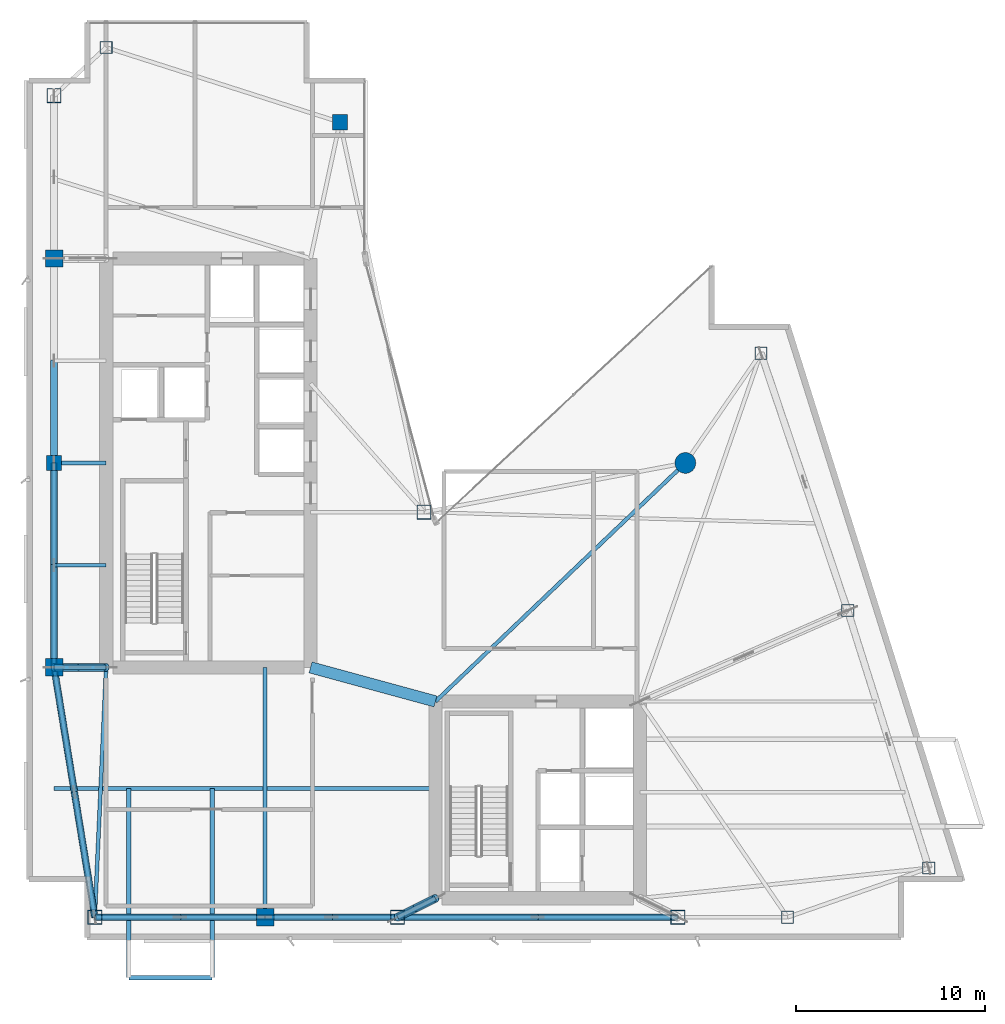
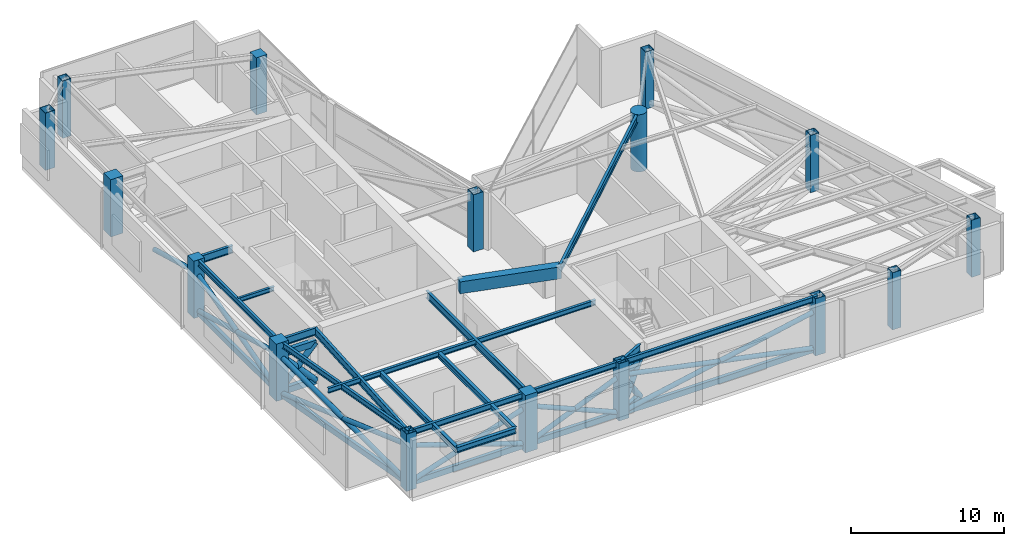
# One storey, part 1 of 16: 31 members, 17 beams, 16 columns.
"""IFC4 building model written with IfcOpenShell, lengths in metres."""

import ifcopenshell
import ifcopenshell.guid

model = None  # the IFC model being written
_history = None  # IfcOwnerHistory: only IFC2X3 demands one
_inside = {}  # id of a spatial element -> (the spatial element, [elements in it])
_under = {}  # id of a project, library or spatial element -> (it, [spatial elements below it])
_declared = {}  # id of a project -> (the project, [libraries it declares])
_typed = {}  # id of a type object -> (the type object, [elements of that type])
_made_of = {}  # id of a material, layer set ... -> (it, [elements and type objects made of it])


def new_model(schema):
    """Start an empty IFC model of exactly this schema.

    Asked for "IFC4X3", IfcOpenShell would pick the latest addendum, in which some entities
    have other attributes; the version numbers below select the first issue.
    IFC2X3 requires an IfcOwnerHistory on every rooted entity: one is made here for all.
    """
    global model, _history
    if schema == "IFC4X3":
        model = ifcopenshell.file(schema_version=(4, 3, 0, 0))
    else:
        model = ifcopenshell.file(schema=schema)
    _inside.clear()
    _under.clear()
    _declared.clear()
    _typed.clear()
    _made_of.clear()
    _history = None
    if model.schema == "IFC2X3":
        org = make("IfcOrganization", Name="unknown")
        user = make(
            "IfcPersonAndOrganization",
            ThePerson=make("IfcPerson", FamilyName="unknown"),
            TheOrganization=org,
        )
        app = make(
            "IfcApplication",
            ApplicationDeveloper=org,
            Version="unknown",
            ApplicationFullName="unknown",
            ApplicationIdentifier="unknown",
        )
        _history = make(
            "IfcOwnerHistory",
            OwningUser=user,
            OwningApplication=app,
            ChangeAction="ADDED",
            CreationDate=0,
        )
    return model


def make(cls, **values):
    """One entity of the class cls with the attributes given. An attribute that is None is left unset."""
    return model.create_entity(
        cls, **{name: value for name, value in values.items() if value is not None}
    )


def rooted(cls, **values):
    """An entity with a GlobalId (a new one), such as an element, a storey or a relation."""
    return make(cls, GlobalId=ifcopenshell.guid.new(), OwnerHistory=_history, **values)


def si_unit(unit_type, name, prefix=None):
    """IfcSIUnit, for example si_unit("LENGTHUNIT", "METRE", prefix="MILLI")."""
    return make("IfcSIUnit", UnitType=unit_type, Prefix=prefix, Name=name)


def assignment(units):
    """IfcUnitAssignment: the units of a project."""
    return None if units is None else make("IfcUnitAssignment", Units=units)


def point(xyz):
    """IfcCartesianPoint."""
    return None if xyz is None else make("IfcCartesianPoint", Coordinates=xyz)


def direction(xyz):
    """IfcDirection."""
    return None if xyz is None else make("IfcDirection", DirectionRatios=xyz)


def frame(location, z_axis=None, x_axis=None):
    """IfcAxis2Placement3D, a coordinate frame: its origin and axes. An axis left out is left unset."""
    return make(
        "IfcAxis2Placement3D",
        Location=point(location),
        Axis=direction(z_axis),
        RefDirection=direction(x_axis),
    )


def frame_2d(location, x_axis=None):
    """IfcAxis2Placement2D, a coordinate frame in the plane: its origin and x axis."""
    return make(
        "IfcAxis2Placement2D", Location=point(location), RefDirection=direction(x_axis)
    )


def origin():
    """The frame at (0, 0, 0) with its axes left unset."""
    return frame((0.0, 0.0, 0.0))


def origin_2d():
    """The frame at (0, 0) in the plane with its x axis left unset."""
    return frame_2d((0.0, 0.0))


def place(relative_to, where):
    """IfcLocalPlacement: puts the frame where relative to a parent placement (None: the world)."""
    return make(
        "IfcLocalPlacement", PlacementRelTo=relative_to, RelativePlacement=where
    )


def context(
    kind, dimensions, precision=None, world=None, true_north=None, identifier=None
):
    """IfcGeometricRepresentationContext, for example the 3D "Model" context."""
    return make(
        "IfcGeometricRepresentationContext",
        ContextIdentifier=identifier,
        ContextType=kind,
        CoordinateSpaceDimension=dimensions,
        Precision=precision,
        WorldCoordinateSystem=world,
        TrueNorth=true_north,
    )


def subcontext(parent, identifier, kind, view, scale=None):
    """IfcGeometricRepresentationSubContext, for example "Body" below "Model"."""
    return make(
        "IfcGeometricRepresentationSubContext",
        ContextIdentifier=identifier,
        ContextType=kind,
        ParentContext=parent,
        TargetScale=scale,
        TargetView=view,
    )


def project(units=None, contexts=None):
    """IfcProject with its units and contexts."""
    return rooted(
        "IfcProject",
        Name="project",
        RepresentationContexts=contexts,
        UnitsInContext=assignment(units),
    )


def spatial(cls, under=None, at=None, **own):
    """A site, building, storey or space (cls), placed at a placement, below another one or the project."""
    s = rooted(cls, ObjectPlacement=at, **own)
    if under is not None:
        _under.setdefault(under.id(), (under, []))[1].append(s)
    return s


def profile(cls, at=None, kind="AREA", **sizes):
    """A parametric profile (cls). Its sizes go by their IFC names, for example OverallWidth=200.0."""
    return make(cls, ProfileType=kind, Position=at, **sizes)


def rectangle(**sizes):
    """IfcRectangleProfileDef."""
    return profile("IfcRectangleProfileDef", **sizes)


def hollow_rectangle(**sizes):
    """IfcRectangleHollowProfileDef."""
    return profile("IfcRectangleHollowProfileDef", **sizes)


def circle(**sizes):
    """IfcCircleProfileDef."""
    return profile("IfcCircleProfileDef", **sizes)


def hollow_circle(**sizes):
    """IfcCircleHollowProfileDef."""
    return profile("IfcCircleHollowProfileDef", **sizes)


def i_section(**sizes):
    """IfcIShapeProfileDef."""
    return profile("IfcIShapeProfileDef", **sizes)


def extrude(swept, where, along, depth):
    """IfcExtrudedAreaSolid: the profile swept, set in the frame where, extruded along a direction by depth."""
    return make(
        "IfcExtrudedAreaSolid",
        SweptArea=swept,
        Position=where,
        ExtrudedDirection=direction(along),
        Depth=depth,
    )


def shape(context_of_items, identifier, shape_type, items):
    """IfcShapeRepresentation: the items that make up one representation, for example the "Body"."""
    return make(
        "IfcShapeRepresentation",
        ContextOfItems=context_of_items,
        RepresentationIdentifier=identifier,
        RepresentationType=shape_type,
        Items=items,
    )


def material(Name=None, Category=None):
    """IfcMaterial."""
    return make("IfcMaterial", Name=Name, Category=Category)


def material_profile(
    of_material, cross_section, Name=None, Category=None, Priority=None
):
    """IfcMaterialProfile: a cross section and its material."""
    return make(
        "IfcMaterialProfile",
        Name=Name,
        Material=of_material,
        Profile=cross_section,
        Priority=Priority,
        Category=Category,
    )


def profile_set(profiles, Name=None, composite=None):
    """IfcMaterialProfileSet."""
    return make(
        "IfcMaterialProfileSet",
        Name=Name,
        MaterialProfiles=profiles,
        CompositeProfile=composite,
    )


def made_of(thing, what):
    """Note that an element or type object is made of a material, layer set ...; save() writes the relation."""
    if what is not None:
        _made_of.setdefault(what.id(), (what, []))[1].append(thing)
    return thing


def type_object(cls, material=None, **own):
    """A type object (cls), such as IfcWallType, which elements share."""
    return made_of(rooted(cls, **own), material)


def element(
    cls,
    number,
    at=None,
    inside=None,
    cuts=None,
    type_object=None,
    material=None,
    context=None,
    identifier="Body",
    shape_type=None,
    held_by="IfcProductDefinitionShape",
    body=None,
    shapes=None,
    **own,
):
    """One element of the class cls, such as IfcWall. Its Tag is "e" and its number.

    at: its placement. inside: the storey or other place that contains it. cuts: it is an
    opening in that element (IfcRelVoidsElement). A single representation is given by context,
    identifier, shape_type and body (its items); several are given by shapes. held_by: the class
    of the entity that holds the representations. save() writes the other relations.
    """
    e = rooted(cls, Tag="e%d" % number, ObjectPlacement=at, **own)
    if body is not None:
        shapes = [shape(context, identifier, shape_type, body)]
    if shapes is not None:
        e.Representation = make(held_by, Representations=shapes)
    if inside is not None:
        _inside.setdefault(inside.id(), (inside, []))[1].append(e)
    if cuts is not None:
        rooted(
            "IfcRelVoidsElement", RelatingBuildingElement=cuts, RelatedOpeningElement=e
        )
    if type_object is not None:
        _typed.setdefault(type_object.id(), (type_object, []))[1].append(e)
    return made_of(e, material)


def aggregate(whole, parts):
    """IfcRelAggregates: a whole, such as a stair, and the parts it consists of."""
    return rooted("IfcRelAggregates", RelatingObject=whole, RelatedObjects=parts)


def save(model, path):
    """Write the relations noted so far, then the file.

    IfcRelAggregates (storeys below a building ...), IfcRelContainedInSpatialStructure (elements
    in a storey), IfcRelDefinesByType, IfcRelAssociatesMaterial and IfcRelDeclares: one each for
    every whole, place, type object, material and project.
    """
    for whole, parts in _under.values():
        aggregate(whole, parts)
    for where, things in _inside.values():
        rooted(
            "IfcRelContainedInSpatialStructure",
            RelatedElements=things,
            RelatingStructure=where,
        )
    for kind, things in _typed.values():
        rooted("IfcRelDefinesByType", RelatedObjects=things, RelatingType=kind)
    for what, things in _made_of.values():
        rooted("IfcRelAssociatesMaterial", RelatedObjects=things, RelatingMaterial=what)
    for by, libraries in _declared.values():
        rooted("IfcRelDeclares", RelatingContext=by, RelatedDefinitions=libraries)
    model.write(path)


model = new_model("IFC4")

# Units and contexts
model_context = context("Model", 3, precision=1e-05, world=origin(), true_north=direction((0.0, 1.0)))
body_context = subcontext(model_context, "Body", "Model", "MODEL_VIEW")
ifc_project = project(units=[si_unit("LENGTHUNIT", "METRE"), si_unit("AREAUNIT", "SQUARE_METRE"), si_unit("VOLUMEUNIT", "CUBIC_METRE"), si_unit("PLANEANGLEUNIT", "RADIAN"), si_unit("MASSUNIT", "GRAM", prefix="KILO")], contexts=[model_context])

# Site, building, storey
site_placement = place(None, origin())
site = spatial("IfcSite", under=ifc_project, at=site_placement, CompositionType="ELEMENT")
building_placement = place(site_placement, origin())
building = spatial("IfcBuilding", under=site, at=building_placement, Name="Calvorn Quay Hotel", CompositionType="ELEMENT")
storey_placement = place(building_placement, frame((0.0, 0.0, 234.5)))
storey = spatial("IfcBuildingStorey", under=building, at=storey_placement, Name="L58", CompositionType="ELEMENT", Elevation=234.5)

# Columns
ifc_material_1 = material(Name="Concrete C45", Category="concrete")
ifc_material_profile_1 = material_profile(ifc_material_1, rectangle(XDim=0.800048828125, YDim=0.800048828125, at=origin_2d()), Name="RC800x800")
ifc_profile_set_1 = profile_set([ifc_material_profile_1], Name="Concrete C45")
column_type_1 = type_object("IfcColumnType", Name="COL-RC-800", PredefinedType="COLUMN", material=ifc_profile_set_1)
for number, where, z_axis, x_axis, name in (
    (1, (1.449951171875, 27.60009765625, 0.0), (0.0, 0.0, 1.0), (1.0, 0.0, 0.0), "Column C-W3 (L58)"),
    (2, (16.550048828125, 45.60009765625, 0.0), (0.0, 0.0, 1.0), (1.0, 0.0, 0.0), "Column C-IC1 (L58)"),
):
    element("IfcColumn", number, at=place(storey_placement, frame(where, z_axis=z_axis, x_axis=x_axis)), inside=storey, type_object=column_type_1, Name=name, PredefinedType="COLUMN", context=body_context, shape_type="SweptSolid", body=[
        extrude(rectangle(XDim=0.800048828125, YDim=0.800048828125, at=origin_2d()), origin(), (0.0, 0.0, 1.0), 4.56005859375),
    ])
ifc_material_2 = material(Name="Concrete C45", Category="concrete")
ifc_material_profile_2 = material_profile(ifc_material_2, rectangle(XDim=0.919921875, YDim=0.919921875, at=origin_2d()), Name="RC920x920")
ifc_profile_set_2 = profile_set([ifc_material_profile_2], Name="Concrete C45")
column_type_2 = type_object("IfcColumnType", Name="COL-RC-920", PredefinedType="COLUMN", material=ifc_profile_set_2)
for number, where, z_axis, x_axis, name in (
    (3, (1.449951171875, 16.800048828125, 0.0), (0.0, 0.0, 1.0), (1.0, 0.0, 0.0), "Column C-W2 (L58)"),
    (4, (1.449951171875, 38.39990234375, 0.0), (0.0, 0.0, 1.0), (1.0, 0.0, 0.0), "Column C-W4 (L58)"),
    (5, (12.60009765625, 3.60009765625, 0.0), (0.0, 0.0, 1.0), (1.0, 0.0, 0.0), "Column C-S1 (L58)"),
):
    element("IfcColumn", number, at=place(storey_placement, frame(where, z_axis=z_axis, x_axis=x_axis)), inside=storey, type_object=column_type_2, Name=name, PredefinedType="COLUMN", context=body_context, shape_type="SweptSolid", body=[
        extrude(rectangle(XDim=0.919921875, YDim=0.919921875, at=origin_2d()), origin(), (0.0, 0.0, 1.0), 4.56005859375),
    ])
ifc_material_3 = material(Name="Concrete C50", Category="concrete")
ifc_material_profile_3 = material_profile(ifc_material_3, circle(Radius=0.550048828125, at=origin_2d()), Name="RCD1100")
ifc_profile_set_3 = profile_set([ifc_material_profile_3], Name="Concrete C50")
column_type_3 = type_object("IfcColumnType", Name="COL-RC-D1100", PredefinedType="COLUMN", material=ifc_profile_set_3)
column_placement = place(storey_placement, frame((34.800048828125, 27.60009765625, 0.0), z_axis=(0.0, 0.0, 1.0), x_axis=(1.0, 0.0, 0.0)))
element("IfcColumn", 6, at=column_placement, inside=storey, type_object=column_type_3, Name="Column C-NC1 (L58)", PredefinedType="COLUMN", context=body_context, shape_type="SweptSolid", body=[
    extrude(circle(Radius=0.550048828125, at=origin_2d()), origin(), (0.0, 0.0, 1.0), 4.56005859375),
])
ifc_material_4 = material(Name="Steel Q390GJC", Category="steel")
ifc_material_profile_4 = material_profile(ifc_material_4, hollow_rectangle(XDim=0.75, YDim=0.75, WallThickness=0.031982421875, at=origin_2d()), Name="BOX750x750x32")
ifc_profile_set_4 = profile_set([ifc_material_profile_4], Name="Steel Q390GJC")
column_type_4 = type_object("IfcColumnType", Name="COL-STL-Z3", PredefinedType="COLUMN", material=ifc_profile_set_4)
for number, where, z_axis, x_axis, name in (
    (7, (3.60009765625, 3.60009765625, 0.0), (0.0, 0.0, 1.0), (1.0, 0.0, 0.0), "Column C-W1 (L58)"),
    (8, (1.449951171875, 47.0, 0.0), (0.0, 0.0, 1.0), (1.0, 0.0, 0.0), "Column C-W5 (L58)"),
    (9, (21.0, 25.0, 0.0), (0.0, 0.0, 1.0), (1.0, 0.0, 0.0), "Column C-IC2 (L58)"),
    (10, (19.60009765625, 3.60009765625, 0.0), (0.0, 0.0, 1.0), (1.0, 0.0, 0.0), "Column C-S2 (L58)"),
    (11, (34.39990234375, 3.60009765625, 0.0), (0.0, 0.0, 1.0), (1.0, 0.0, 0.0), "Column C-S3 (L58)"),
):
    element("IfcColumn", number, at=place(storey_placement, frame(where, z_axis=z_axis, x_axis=x_axis)), inside=storey, type_object=column_type_4, Name=name, PredefinedType="COLUMN", context=body_context, shape_type="SweptSolid", body=[
        extrude(hollow_rectangle(XDim=0.75, YDim=0.75, WallThickness=0.031982421875, at=origin_2d()), origin(), (0.0, 0.0, 1.0), 4.56005859375),
    ])
ifc_material_5 = material(Name="Steel Q355B", Category="steel")
ifc_material_profile_5 = material_profile(ifc_material_5, hollow_rectangle(XDim=0.64990234375, YDim=0.64990234375, WallThickness=0.028076171875, at=origin_2d()), Name="BOX650x650x28")
ifc_profile_set_5 = profile_set([ifc_material_profile_5], Name="Steel Q355B")
column_type_5 = type_object("IfcColumnType", Name="COL-STL-Z4", PredefinedType="COLUMN", material=ifc_profile_set_5)
for number, where, z_axis, x_axis, name in (
    (12, (4.199951171875, 49.550048828125, 0.0), (0.0, 0.0, 1.0), (1.0, 0.0, 0.0), "Column C-NW1 (L58)"),
    (13, (40.199951171875, 3.60009765625, 0.0), (0.0, 0.0, 1.0), (1.0, 0.0, 0.0), "Column C-S4 (L58)"),
    (14, (47.660888671875, 6.199951171875, 0.0), (0.0, 0.0, 1.0), (1.0, 0.0, 0.0), "Column C-ET1 (L58)"),
    (15, (43.3759765625, 19.800048828125, 0.0), (0.0, 0.0, 1.0), (1.0, 0.0, 0.0), "Column C-ET2 (L58)"),
    (16, (38.791015625, 33.39990234375, 0.0), (0.0, 0.0, 1.0), (1.0, 0.0, 0.0), "Column C-ET3 (L58)"),
):
    element("IfcColumn", number, at=place(storey_placement, frame(where, z_axis=z_axis, x_axis=x_axis)), inside=storey, type_object=column_type_5, Name=name, PredefinedType="COLUMN", context=body_context, shape_type="SweptSolid", body=[
        extrude(hollow_rectangle(XDim=0.64990234375, YDim=0.64990234375, WallThickness=0.028076171875, at=origin_2d()), origin(), (0.0, 0.0, 1.0), 4.56005859375),
    ])

# Beams
ifc_material_6 = material(Name="Steel Q355B", Category="steel")
ifc_material_profile_6 = material_profile(ifc_material_6, i_section(OverallWidth=0.25, OverallDepth=0.449951171875, WebThickness=0.011962890625, FlangeThickness=0.01611328125, FilletRadius=0.01611328125, at=origin_2d()), Name="HN450x250x12x16")
ifc_profile_set_6 = profile_set([ifc_material_profile_6], Name="Steel Q355B")
beam_type_1 = type_object("IfcBeamType", Name="BM-CANT-BALC", PredefinedType="BEAM", material=ifc_profile_set_6)
for number, where, z_axis, x_axis, name in (
    (17, (5.39990234375, 10.39990234375, 4.31494140625), (0.0, -1.0, 0.0), (1.0, 0.0, 0.0), "Cantilever Balcony Beam BCB-L59-2A"),
    (18, (9.800048828125, 10.39990234375, 4.31494140625), (0.0, -1.0, 0.0), (1.0, 0.0, 0.0), "Cantilever Balcony Beam BCB-L59-2B"),
):
    element("IfcBeam", number, at=place(storey_placement, frame(where, z_axis=z_axis, x_axis=x_axis)), inside=storey, type_object=beam_type_1, Name=name, PredefinedType="BEAM", context=body_context, shape_type="SweptSolid", body=[
        extrude(i_section(OverallWidth=0.25, OverallDepth=0.449951171875, WebThickness=0.011962890625, FlangeThickness=0.01611328125, FilletRadius=0.01611328125, at=origin_2d()), origin(), (0.0, 0.0, 1.0), 9.989990234375),
    ])
beam_1_placement = place(storey_placement, frame((5.39990234375, 0.409912109375, 4.31494140625), z_axis=(1.0, 0.0, 0.0), x_axis=(0.0, 1.0, 0.0)))
element("IfcBeam", 19, at=beam_1_placement, inside=storey, type_object=beam_type_1, Name="Beam BCBO-L59-2", PredefinedType="BEAM", context=body_context, shape_type="SweptSolid", body=[
    extrude(i_section(OverallWidth=0.25, OverallDepth=0.449951171875, WebThickness=0.011962890625, FlangeThickness=0.01611328125, FilletRadius=0.01611328125, at=origin_2d()), origin(), (0.0, 0.0, 1.0), 4.400146484375),
])
ifc_material_7 = material(Name="Steel Q355B", Category="steel")
ifc_material_profile_7 = material_profile(ifc_material_7, i_section(OverallWidth=0.199951171875, OverallDepth=0.60009765625, WebThickness=0.010986328125, FlangeThickness=0.01708984375, FilletRadius=0.01806640625, at=origin_2d()), Name="HN600x200x11x17")
ifc_profile_set_7 = profile_set([ifc_material_profile_7], Name="Steel Q355B")
beam_type_2 = type_object("IfcBeamType", Name="BM-GIRD-TYP", PredefinedType="BEAM", material=ifc_profile_set_7)
beam_2_placement = place(storey_placement, frame((3.60009765625, 3.60009765625, 4.239990234375), z_axis=(0.045396765494, 0.998969035397, 0.0), x_axis=(-0.998969035397, 0.045396765494, 0.0)))
element("IfcBeam", 20, at=beam_2_placement, inside=storey, type_object=beam_type_2, Name="Beam BG-L58-W0", PredefinedType="BEAM", context=body_context, shape_type="SweptSolid", body=[
    extrude(i_section(OverallWidth=0.199951171875, OverallDepth=0.60009765625, WebThickness=0.010986328125, FlangeThickness=0.01708984375, FilletRadius=0.01806640625, at=origin_2d()), origin(), (0.0, 0.0, 1.0), 13.213623046875),
])
for number, where, z_axis, x_axis, name in (
    (21, (1.449951171875, 16.800048828125, 4.239990234375), (1.0, 0.0, 0.0), (0.0, 1.0, 0.0), "Beam BG-L58-W1"),
    (22, (1.449951171875, 27.60009765625, 4.239990234375), (1.0, 0.0, 0.0), (0.0, 1.0, 0.0), "Beam BG-L58-W2"),
):
    element("IfcBeam", number, at=place(storey_placement, frame(where, z_axis=z_axis, x_axis=x_axis)), inside=storey, type_object=beam_type_2, Name=name, PredefinedType="BEAM", context=body_context, shape_type="SweptSolid", body=[
        extrude(i_section(OverallWidth=0.199951171875, OverallDepth=0.60009765625, WebThickness=0.010986328125, FlangeThickness=0.01708984375, FilletRadius=0.01806640625, at=origin_2d()), origin(), (0.0, 0.0, 1.0), 2.75),
    ])
beam_3_placement = place(storey_placement, frame((12.60009765625, 3.60009765625, 4.239990234375), z_axis=(0.0, 1.0, 0.0), x_axis=(-1.0, 0.0, 0.0)))
element("IfcBeam", 23, at=beam_3_placement, inside=storey, type_object=beam_type_2, Name="Beam BG-L58-S1", PredefinedType="BEAM", context=body_context, shape_type="SweptSolid", body=[
    extrude(i_section(OverallWidth=0.199951171875, OverallDepth=0.60009765625, WebThickness=0.010986328125, FlangeThickness=0.01708984375, FilletRadius=0.01806640625, at=origin_2d()), origin(), (0.0, 0.0, 1.0), 13.199951171875),
])
beam_4_placement = place(storey_placement, frame((19.60009765625, 3.60009765625, 4.239990234375), z_axis=(0.894427191, 0.4472135955, 0.0), x_axis=(-0.4472135955, 0.894427191, 0.0)))
element("IfcBeam", 24, at=beam_4_placement, inside=storey, type_object=beam_type_2, Name="Beam BG-L58-S2", PredefinedType="BEAM", context=body_context, shape_type="SweptSolid", body=[
    extrude(i_section(OverallWidth=0.199951171875, OverallDepth=0.60009765625, WebThickness=0.010986328125, FlangeThickness=0.01708984375, FilletRadius=0.01806640625, at=origin_2d()), origin(), (0.0, 0.0, 1.0), 2.236083984375),
])
beam_5_placement = place(storey_placement, frame((21.60009765625, 15.0, 4.239990234375), z_axis=(0.723351595578, 0.690479883252, 0.0), x_axis=(-0.690479883252, 0.723351595578, 0.0)))
element("IfcBeam", 25, at=beam_5_placement, inside=storey, type_object=beam_type_2, Name="Beam BG-L58-E4", PredefinedType="BEAM", context=body_context, shape_type="SweptSolid", body=[
    extrude(i_section(OverallWidth=0.199951171875, OverallDepth=0.60009765625, WebThickness=0.010986328125, FlangeThickness=0.01708984375, FilletRadius=0.01806640625, at=origin_2d()), origin(), (0.0, 0.0, 1.0), 18.248291015625),
])
ifc_material_8 = material(Name="Steel Q355B", Category="steel")
ifc_material_profile_8 = material_profile(ifc_material_8, i_section(OverallWidth=0.175048828125, OverallDepth=0.35009765625, WebThickness=0.007080078125, FlangeThickness=0.010986328125, FilletRadius=0.013916015625, at=origin_2d()), Name="HN350x175x7x11")
ifc_profile_set_8 = profile_set([ifc_material_profile_8], Name="Steel Q355B")
beam_type_3 = type_object("IfcBeamType", Name="BM-JOIST-SEC", PredefinedType="JOIST", material=ifc_profile_set_8)
beam_6_placement = place(storey_placement, frame((1.449951171875, 22.199951171875, 4.364990234375), z_axis=(1.0, 0.0, 0.0), x_axis=(0.0, 1.0, 0.0)))
element("IfcBeam", 26, at=beam_6_placement, inside=storey, type_object=beam_type_3, Name="Beam BJ-L58-W3", PredefinedType="JOIST", context=body_context, shape_type="SweptSolid", body=[
    extrude(i_section(OverallWidth=0.175048828125, OverallDepth=0.35009765625, WebThickness=0.007080078125, FlangeThickness=0.010986328125, FilletRadius=0.013916015625, at=origin_2d()), origin(), (0.0, 0.0, 1.0), 2.75),
])
ifc_material_9 = material(Name="Steel Q355B", Category="steel")
ifc_material_profile_9 = material_profile(ifc_material_9, i_section(OverallWidth=0.199951171875, OverallDepth=0.39990234375, WebThickness=0.008056640625, FlangeThickness=0.012939453125, FilletRadius=0.01611328125, at=origin_2d()), Name="HN400x200x8x13")
ifc_profile_set_9 = profile_set([ifc_material_profile_9], Name="Steel Q355B")
beam_type_4 = type_object("IfcBeamType", Name="BM-JOIST-TYP", PredefinedType="JOIST", material=ifc_profile_set_9)
beam_7_placement = place(storey_placement, frame((1.449951171875, 10.39990234375, 4.340087890625), z_axis=(1.0, 0.0, 0.0), x_axis=(0.0, 1.0, 0.0)))
element("IfcBeam", 27, at=beam_7_placement, inside=storey, type_object=beam_type_4, Name="Beam BJ-L58-W1", PredefinedType="JOIST", context=body_context, shape_type="SweptSolid", body=[
    extrude(i_section(OverallWidth=0.199951171875, OverallDepth=0.39990234375, WebThickness=0.008056640625, FlangeThickness=0.012939453125, FilletRadius=0.01611328125, at=origin_2d()), origin(), (0.0, 0.0, 1.0), 20.150146484375),
])
ifc_material_10 = material(Name="Concrete C45", Category="concrete")
ifc_material_profile_10 = material_profile(ifc_material_10, rectangle(XDim=0.60009765625, YDim=0.949951171875, at=origin_2d()), Name="RCB600x950")
ifc_profile_set_10 = profile_set([ifc_material_profile_10], Name="Concrete C45")
beam_type_5 = type_object("IfcBeamType", Name="BM-RC-LINK-600x950", PredefinedType="BEAM", material=ifc_profile_set_10)
beam_8_placement = place(storey_placement, frame((15.0, 16.800048828125, 4.06494140625), z_axis=(0.964762997686, -0.263120425462, 0.0), x_axis=(0.263120425462, 0.964762997686, 0.0)))
element("IfcBeam", 28, at=beam_8_placement, inside=storey, type_object=beam_type_5, Name="Beam BCL-L58-01", PredefinedType="BEAM", context=body_context, shape_type="SweptSolid", body=[
    extrude(rectangle(XDim=0.60009765625, YDim=0.949951171875, at=origin_2d()), origin(), (0.0, 0.0, 1.0), 6.841064453125),
])
ifc_material_11 = material(Name="Steel Q355B", Category="steel")
ifc_material_profile_11 = material_profile(ifc_material_11, i_section(OverallWidth=0.199951171875, OverallDepth=0.449951171875, WebThickness=0.009033203125, FlangeThickness=0.013916015625, FilletRadius=0.01611328125, at=origin_2d()), Name="HN450x200x9x14")
ifc_profile_set_11 = profile_set([ifc_material_profile_11], Name="Steel Q355B")
beam_type_6 = type_object("IfcBeamType", Name="BM-SPANDREL-Z3", PredefinedType="SPANDREL", material=ifc_profile_set_11)
beam_9_placement = place(storey_placement, frame((3.60009765625, 3.60009765625, 4.31494140625), z_axis=(-0.16077155054, 0.986991645627, 0.0), x_axis=(-0.986991645627, -0.16077155054, 0.0)))
element("IfcBeam", 29, at=beam_9_placement, inside=storey, type_object=beam_type_6, Name="Beam BSP-L58-W1", PredefinedType="SPANDREL", context=body_context, shape_type="SweptSolid", body=[
    extrude(i_section(OverallWidth=0.199951171875, OverallDepth=0.449951171875, WebThickness=0.009033203125, FlangeThickness=0.013916015625, FilletRadius=0.01611328125, at=origin_2d()), origin(), (0.0, 0.0, 1.0), 13.3740234375),
])
beam_10_placement = place(storey_placement, frame((1.449951171875, 16.800048828125, 4.31494140625), z_axis=(0.0, 1.0, 0.0), x_axis=(-1.0, 0.0, 0.0)))
element("IfcBeam", 30, at=beam_10_placement, inside=storey, type_object=beam_type_6, Name="Beam BSP-L58-W2", PredefinedType="SPANDREL", context=body_context, shape_type="SweptSolid", body=[
    extrude(i_section(OverallWidth=0.199951171875, OverallDepth=0.449951171875, WebThickness=0.009033203125, FlangeThickness=0.013916015625, FilletRadius=0.01611328125, at=origin_2d()), origin(), (0.0, 0.0, 1.0), 10.800048828125),
])
beam_11_placement = place(storey_placement, frame((3.60009765625, 3.60009765625, 4.31494140625), z_axis=(1.0, 0.0, 0.0), x_axis=(0.0, 1.0, 0.0)))
element("IfcBeam", 31, at=beam_11_placement, inside=storey, type_object=beam_type_6, Name="Beam BSP-L58-S1", PredefinedType="SPANDREL", context=body_context, shape_type="SweptSolid", body=[
    extrude(i_section(OverallWidth=0.199951171875, OverallDepth=0.449951171875, WebThickness=0.009033203125, FlangeThickness=0.013916015625, FilletRadius=0.01611328125, at=origin_2d()), origin(), (0.0, 0.0, 1.0), 9.0),
])
beam_12_placement = place(storey_placement, frame((12.60009765625, 3.60009765625, 4.31494140625), z_axis=(1.0, 0.0, 0.0), x_axis=(0.0, 1.0, 0.0)))
element("IfcBeam", 32, at=beam_12_placement, inside=storey, type_object=beam_type_6, Name="Beam BSP-L58-S2", PredefinedType="SPANDREL", context=body_context, shape_type="SweptSolid", body=[
    extrude(i_section(OverallWidth=0.199951171875, OverallDepth=0.449951171875, WebThickness=0.009033203125, FlangeThickness=0.013916015625, FilletRadius=0.01611328125, at=origin_2d()), origin(), (0.0, 0.0, 1.0), 7.0),
])
beam_13_placement = place(storey_placement, frame((19.60009765625, 3.60009765625, 4.31494140625), z_axis=(1.0, 0.0, 0.0), x_axis=(0.0, 1.0, 0.0)))
element("IfcBeam", 33, at=beam_13_placement, inside=storey, type_object=beam_type_6, Name="Beam BSP-L58-S3", PredefinedType="SPANDREL", context=body_context, shape_type="SweptSolid", body=[
    extrude(i_section(OverallWidth=0.199951171875, OverallDepth=0.449951171875, WebThickness=0.009033203125, FlangeThickness=0.013916015625, FilletRadius=0.01611328125, at=origin_2d()), origin(), (0.0, 0.0, 1.0), 14.7998046875),
])

# Members
ifc_material_12 = material(Name="Steel Q390GJC", Category="steel")
ifc_material_profile_12 = material_profile(ifc_material_12, hollow_rectangle(XDim=0.25, YDim=0.449951171875, WallThickness=0.01611328125, at=origin_2d()), Name="RHS450x250x16")
ifc_profile_set_12 = profile_set([ifc_material_profile_12], Name="Steel Q390GJC")
member_type_1 = type_object("IfcMemberType", Name="MEM-BELT-CHORD", PredefinedType="CHORD", material=ifc_profile_set_12)
member_1_placement = place(storey_placement, frame((3.60009765625, 3.60009765625, 0.35009765625), z_axis=(-0.16077155054, 0.986991645627, 0.0), x_axis=(-0.986991645627, -0.16077155054, 0.0)))
element("IfcMember", 34, at=member_1_placement, inside=storey, type_object=member_type_1, Name="Belt Truss Chord L58-BW1", PredefinedType="CHORD", context=body_context, shape_type="SweptSolid", body=[
    extrude(hollow_rectangle(XDim=0.25, YDim=0.449951171875, WallThickness=0.01611328125, at=origin_2d()), origin(), (0.0, 0.0, 1.0), 13.3740234375),
])
member_2_placement = place(storey_placement, frame((1.449951171875, 16.800048828125, 0.35009765625), z_axis=(0.0, 1.0, 0.0), x_axis=(-1.0, 0.0, 0.0)))
element("IfcMember", 35, at=member_2_placement, inside=storey, type_object=member_type_1, Name="Belt Truss Chord L58-BW2", PredefinedType="CHORD", context=body_context, shape_type="SweptSolid", body=[
    extrude(hollow_rectangle(XDim=0.25, YDim=0.449951171875, WallThickness=0.01611328125, at=origin_2d()), origin(), (0.0, 0.0, 1.0), 10.800048828125),
])
member_3_placement = place(storey_placement, frame((3.60009765625, 3.60009765625, 0.35009765625), z_axis=(1.0, 0.0, 0.0), x_axis=(0.0, 1.0, 0.0)))
element("IfcMember", 36, at=member_3_placement, inside=storey, type_object=member_type_1, Name="Belt Truss Chord L58-BS1", PredefinedType="CHORD", context=body_context, shape_type="SweptSolid", body=[
    extrude(hollow_rectangle(XDim=0.25, YDim=0.449951171875, WallThickness=0.01611328125, at=origin_2d()), origin(), (0.0, 0.0, 1.0), 9.0),
])
member_4_placement = place(storey_placement, frame((12.60009765625, 3.60009765625, 0.35009765625), z_axis=(1.0, 0.0, 0.0), x_axis=(0.0, 1.0, 0.0)))
element("IfcMember", 37, at=member_4_placement, inside=storey, type_object=member_type_1, Name="Belt Truss Chord L58-BS2", PredefinedType="CHORD", context=body_context, shape_type="SweptSolid", body=[
    extrude(hollow_rectangle(XDim=0.25, YDim=0.449951171875, WallThickness=0.01611328125, at=origin_2d()), origin(), (0.0, 0.0, 1.0), 7.0),
])
member_5_placement = place(storey_placement, frame((19.60009765625, 3.60009765625, 0.35009765625), z_axis=(1.0, 0.0, 0.0), x_axis=(0.0, 1.0, 0.0)))
element("IfcMember", 38, at=member_5_placement, inside=storey, type_object=member_type_1, Name="Belt Truss Chord L58-BS3", PredefinedType="CHORD", context=body_context, shape_type="SweptSolid", body=[
    extrude(hollow_rectangle(XDim=0.25, YDim=0.449951171875, WallThickness=0.01611328125, at=origin_2d()), origin(), (0.0, 0.0, 1.0), 14.7998046875),
])
ifc_material_13 = material(Name="Steel Q390GJC", Category="steel")
ifc_material_profile_13 = material_profile(ifc_material_13, hollow_circle(Radius=0.177978515625, WallThickness=0.013916015625, at=origin_2d()), Name="CHS356x14")
ifc_profile_set_13 = profile_set([ifc_material_profile_13], Name="Steel Q390GJC")
member_type_2 = type_object("IfcMemberType", Name="MEM-BELT-DIAG", PredefinedType="BRACE", material=ifc_profile_set_13)
member_6_placement = place(storey_placement, frame((3.60009765625, 3.60009765625, 0.35009765625), z_axis=(-0.156898242123, 0.963213041541, 0.21818244252), x_axis=(-0.986991645627, -0.16077155054, 0.0)))
element("IfcMember", 39, at=member_6_placement, inside=storey, type_object=member_type_2, Name="Belt Truss Continuous Brace L58-BW1A", PredefinedType="BRACE", context=body_context, shape_type="SweptSolid", body=[
    extrude(hollow_circle(Radius=0.177978515625, WallThickness=0.013916015625, at=origin_2d()), origin(), (0.0, 0.0, 1.0), 13.7041015625),
])
for number, where, z_axis, x_axis, name in (
    (40, (3.60009765625, 3.60009765625, 3.340087890625), (-0.156917701365, 0.963205318118, -0.21820254386), (-0.986988276812, -0.160792230647, 0.0), "Belt Truss Split Brace B1 L58-BW1"),
    (41, (2.52490234375, 10.199951171875, 1.844970703125), (-0.156878783156, 0.96322076399, -0.218162341419), (-0.986995013907, -0.160750870986, 0.0), "Belt Truss Split Brace B2 L58-BW1"),
):
    element("IfcMember", number, at=place(storey_placement, frame(where, z_axis=z_axis, x_axis=x_axis)), inside=storey, type_object=member_type_2, Name=name, PredefinedType="BRACE", context=body_context, shape_type="SweptSolid", body=[
        extrude(hollow_circle(Radius=0.177978515625, WallThickness=0.013916015625, at=origin_2d()), origin(), (0.0, 0.0, 1.0), 6.85205078125),
    ])
member_7_placement = place(storey_placement, frame((1.449951171875, 16.800048828125, 0.35009765625), z_axis=(0.0, 0.963748208979, 0.266813398634), x_axis=(-1.0, 0.0, 0.0)))
element("IfcMember", 42, at=member_7_placement, inside=storey, type_object=member_type_2, Name="Belt Truss Continuous Brace L58-BW2A", PredefinedType="BRACE", context=body_context, shape_type="SweptSolid", body=[
    extrude(hollow_circle(Radius=0.177978515625, WallThickness=0.013916015625, at=origin_2d()), origin(), (0.0, 0.0, 1.0), 11.206298828125),
])
member_8_placement = place(storey_placement, frame((1.449951171875, 16.800048828125, 3.340087890625), z_axis=(0.0, 0.963741055512, -0.266839236095), x_axis=(-1.0, 0.0, 0.0)))
element("IfcMember", 43, at=member_8_placement, inside=storey, type_object=member_type_2, Name="Belt Truss Split Brace B1 L58-BW2", PredefinedType="BRACE", context=body_context, shape_type="SweptSolid", body=[
    extrude(hollow_circle(Radius=0.177978515625, WallThickness=0.013916015625, at=origin_2d()), origin(), (0.0, 0.0, 1.0), 5.60302734375),
])
member_9_placement = place(storey_placement, frame((1.449951171875, 22.199951171875, 1.844970703125), z_axis=(0.0, 0.963755361535, -0.266787561765), x_axis=(-1.0, 0.0, 0.0)))
element("IfcMember", 44, at=member_9_placement, inside=storey, type_object=member_type_2, Name="Belt Truss Split Brace B2 L58-BW2", PredefinedType="BRACE", context=body_context, shape_type="SweptSolid", body=[
    extrude(hollow_circle(Radius=0.177978515625, WallThickness=0.013916015625, at=origin_2d()), origin(), (0.0, 0.0, 1.0), 5.603271484375),
])
member_10_placement = place(storey_placement, frame((1.449951171875, 27.60009765625, 3.340087890625), z_axis=(0.0, 0.963741055512, -0.266839236095), x_axis=(-1.0, 0.0, 0.0)))
element("IfcMember", 45, at=member_10_placement, inside=storey, type_object=member_type_2, Name="Belt Truss Split Brace B1 L58-BW3", PredefinedType="BRACE", context=body_context, shape_type="SweptSolid", body=[
    extrude(hollow_circle(Radius=0.177978515625, WallThickness=0.013916015625, at=origin_2d()), origin(), (0.0, 0.0, 1.0), 5.60302734375),
])
member_11_placement = place(storey_placement, frame((3.60009765625, 3.60009765625, 0.35009765625), z_axis=(0.948999464539, 0.0, 0.315277681267), x_axis=(0.0, 1.0, 0.0)))
element("IfcMember", 46, at=member_11_placement, inside=storey, type_object=member_type_2, Name="Belt Truss Continuous Brace L58-BS1A", PredefinedType="BRACE", context=body_context, shape_type="SweptSolid", body=[
    extrude(hollow_circle(Radius=0.177978515625, WallThickness=0.013916015625, at=origin_2d()), origin(), (0.0, 0.0, 1.0), 9.483642578125),
])
member_12_placement = place(storey_placement, frame((3.60009765625, 3.60009765625, 3.340087890625), z_axis=(0.948991761978, 0.0, -0.315300865362), x_axis=(0.0, 1.0, 0.0)))
element("IfcMember", 47, at=member_12_placement, inside=storey, type_object=member_type_2, Name="Belt Truss Split Brace B1 L58-BS1", PredefinedType="BRACE", context=body_context, shape_type="SweptSolid", body=[
    extrude(hollow_circle(Radius=0.177978515625, WallThickness=0.013916015625, at=origin_2d()), origin(), (0.0, 0.0, 1.0), 4.741943359375),
])
member_13_placement = place(storey_placement, frame((8.10009765625, 3.60009765625, 1.844970703125), z_axis=(0.949007166659, 0.0, -0.315254496606), x_axis=(0.0, 1.0, 0.0)))
element("IfcMember", 48, at=member_13_placement, inside=storey, type_object=member_type_2, Name="Belt Truss Split Brace B2 L58-BS1", PredefinedType="BRACE", context=body_context, shape_type="SweptSolid", body=[
    extrude(hollow_circle(Radius=0.177978515625, WallThickness=0.013916015625, at=origin_2d()), origin(), (0.0, 0.0, 1.0), 4.74169921875),
])
member_14_placement = place(storey_placement, frame((12.60009765625, 3.60009765625, 0.35009765625), z_axis=(0.91962048889, 0.0, 0.392808040159), x_axis=(0.0, 1.0, 0.0)))
element("IfcMember", 49, at=member_14_placement, inside=storey, type_object=member_type_2, Name="Belt Truss Continuous Brace L58-BS2A", PredefinedType="BRACE", context=body_context, shape_type="SweptSolid", body=[
    extrude(hollow_circle(Radius=0.177978515625, WallThickness=0.013916015625, at=origin_2d()), origin(), (0.0, 0.0, 1.0), 7.61181640625),
])
for number, where, z_axis, x_axis, name in (
    (50, (12.60009765625, 3.60009765625, 3.340087890625), (0.919608902472, 0.0, -0.392835164533), (0.0, 1.0, 0.0), "Belt Truss Split Brace B1 L58-BS2"),
    (51, (16.10009765625, 3.60009765625, 1.844970703125), (0.9196320748, 0.0, -0.39278091476), (0.0, 1.0, 0.0), "Belt Truss Split Brace B2 L58-BS2"),
):
    element("IfcMember", number, at=place(storey_placement, frame(where, z_axis=z_axis, x_axis=x_axis)), inside=storey, type_object=member_type_2, Name=name, PredefinedType="BRACE", context=body_context, shape_type="SweptSolid", body=[
        extrude(hollow_circle(Radius=0.177978515625, WallThickness=0.013916015625, at=origin_2d()), origin(), (0.0, 0.0, 1.0), 3.805908203125),
    ])
member_15_placement = place(storey_placement, frame((19.60009765625, 3.60009765625, 0.35009765625), z_axis=(0.980196339569, 0.0, 0.198028118949), x_axis=(0.0, 1.0, 0.0)))
element("IfcMember", 52, at=member_15_placement, inside=storey, type_object=member_type_2, Name="Belt Truss Continuous Brace L58-BS3A", PredefinedType="BRACE", context=body_context, shape_type="SweptSolid", body=[
    extrude(hollow_circle(Radius=0.177978515625, WallThickness=0.013916015625, at=origin_2d()), origin(), (0.0, 0.0, 1.0), 15.098876953125),
])
for number, where, z_axis, x_axis, name in (
    (53, (19.60009765625, 3.60009765625, 3.340087890625), (0.980193200848, 0.0, -0.198043654305), (0.0, 1.0, 0.0), "Belt Truss Split Brace B1 L58-BS3"),
    (54, (27.0, 3.60009765625, 1.844970703125), (0.980199478064, 0.0, -0.198012583444), (0.0, 1.0, 0.0), "Belt Truss Split Brace B2 L58-BS3"),
):
    element("IfcMember", number, at=place(storey_placement, frame(where, z_axis=z_axis, x_axis=x_axis)), inside=storey, type_object=member_type_2, Name=name, PredefinedType="BRACE", context=body_context, shape_type="SweptSolid", body=[
        extrude(hollow_circle(Radius=0.177978515625, WallThickness=0.013916015625, at=origin_2d()), origin(), (0.0, 0.0, 1.0), 7.54931640625),
    ])
ifc_material_14 = material(Name="Steel Q390GJC", Category="steel")
ifc_material_profile_14 = material_profile(ifc_material_14, hollow_rectangle(XDim=0.300048828125, YDim=0.5, WallThickness=0.02001953125, at=origin_2d()), Name="RHS500x300x20")
ifc_profile_set_14 = profile_set([ifc_material_profile_14], Name="Steel Q390GJC")
member_type_3 = type_object("IfcMemberType", Name="MEM-OUTRIGGER-CHORD", PredefinedType="CHORD", material=ifc_profile_set_14)
for number, where, z_axis, x_axis, name in (
    (55, (4.199951171875, 16.800048828125, 3.340087890625), (-1.0, 0.0, 0.0), (0.0, -1.0, 0.0), "Outrigger Top Chord L58-OW1"),
    (56, (4.199951171875, 16.800048828125, 0.35009765625), (-1.0, 0.0, 0.0), (0.0, -1.0, 0.0), "Outrigger Bottom Chord L58-OW1"),
):
    element("IfcMember", number, at=place(storey_placement, frame(where, z_axis=z_axis, x_axis=x_axis)), inside=storey, type_object=member_type_3, Name=name, PredefinedType="CHORD", context=body_context, shape_type="SweptSolid", body=[
        extrude(hollow_rectangle(XDim=0.300048828125, YDim=0.5, WallThickness=0.02001953125, at=origin_2d()), origin(), (0.0, 0.0, 1.0), 2.75),
    ])
for number, where, z_axis, x_axis, name in (
    (57, (21.60009765625, 4.60009765625, 3.340087890625), (-0.894427191, -0.4472135955, 0.0), (0.4472135955, -0.894427191, 0.0), "Outrigger Top Chord L58-OE1"),
    (58, (21.60009765625, 4.60009765625, 0.35009765625), (-0.894427191, -0.4472135955, 0.0), (0.4472135955, -0.894427191, 0.0), "Outrigger Bottom Chord L58-OE1"),
):
    element("IfcMember", number, at=place(storey_placement, frame(where, z_axis=z_axis, x_axis=x_axis)), inside=storey, type_object=member_type_3, Name=name, PredefinedType="CHORD", context=body_context, shape_type="SweptSolid", body=[
        extrude(hollow_rectangle(XDim=0.300048828125, YDim=0.5, WallThickness=0.02001953125, at=origin_2d()), origin(), (0.0, 0.0, 1.0), 2.236083984375),
    ])
ifc_material_15 = material(Name="Steel Q390GJC", Category="steel")
ifc_material_profile_15 = material_profile(ifc_material_15, hollow_circle(Radius=0.212890625, WallThickness=0.01611328125, at=origin_2d()), Name="CHS426x16")
ifc_profile_set_15 = profile_set([ifc_material_profile_15], Name="Steel Q390GJC")
member_type_4 = type_object("IfcMemberType", Name="MEM-OUTRIGGER-DIAG2", PredefinedType="BRACE", material=ifc_profile_set_15)
member_16_placement = place(storey_placement, frame((4.199951171875, 16.800048828125, 0.35009765625), z_axis=(-0.67695106482, 0.0, 0.736028026531), x_axis=(0.0, -1.0, 0.0)))
element("IfcMember", 59, at=member_16_placement, inside=storey, type_object=member_type_4, Name="Outrigger Continuous Diagonal L58-OW1", PredefinedType="BRACE", context=body_context, shape_type="SweptSolid", body=[
    extrude(hollow_circle(Radius=0.212890625, WallThickness=0.01611328125, at=origin_2d()), origin(), (0.0, 0.0, 1.0), 4.062255859375),
])
member_17_placement = place(storey_placement, frame((4.199951171875, 16.800048828125, 3.340087890625), z_axis=(-0.67692112114, 0.0, -0.736055565671), x_axis=(0.0, -1.0, 0.0)))
element("IfcMember", 60, at=member_17_placement, inside=storey, type_object=member_type_4, Name="Outrigger Split Diagonal A L58-OW1", PredefinedType="BRACE", context=body_context, shape_type="SweptSolid", body=[
    extrude(hollow_circle(Radius=0.212890625, WallThickness=0.01611328125, at=origin_2d()), origin(), (0.0, 0.0, 1.0), 2.03125),
])
member_18_placement = place(storey_placement, frame((2.824951171875, 16.800048828125, 1.844970703125), z_axis=(-0.676981010029, 0.0, -0.736000483737), x_axis=(0.0, -1.0, 0.0)))
element("IfcMember", 61, at=member_18_placement, inside=storey, type_object=member_type_4, Name="Outrigger Split Diagonal B L58-OW1", PredefinedType="BRACE", context=body_context, shape_type="SweptSolid", body=[
    extrude(hollow_circle(Radius=0.212890625, WallThickness=0.01611328125, at=origin_2d()), origin(), (0.0, 0.0, 1.0), 2.031005859375),
])
member_19_placement = place(storey_placement, frame((21.60009765625, 4.60009765625, 0.35009765625), z_axis=(-0.535670784695, -0.267835392348, 0.800825207539), x_axis=(0.4472135955, -0.894427191, 0.0)))
element("IfcMember", 62, at=member_19_placement, inside=storey, type_object=member_type_4, Name="Outrigger Continuous Diagonal L58-OE1", PredefinedType="BRACE", context=body_context, shape_type="SweptSolid", body=[
    extrude(hollow_circle(Radius=0.212890625, WallThickness=0.01611328125, at=origin_2d()), origin(), (0.0, 0.0, 1.0), 3.733642578125),
])
member_20_placement = place(storey_placement, frame((21.60009765625, 4.60009765625, 3.340087890625), z_axis=(-0.535642735053, -0.267821367526, -0.800848659537), x_axis=(0.4472135955, -0.894427191, 0.0)))
element("IfcMember", 63, at=member_20_placement, inside=storey, type_object=member_type_4, Name="Outrigger Split Diagonal A L58-OE1", PredefinedType="BRACE", context=body_context, shape_type="SweptSolid", body=[
    extrude(hollow_circle(Radius=0.212890625, WallThickness=0.01611328125, at=origin_2d()), origin(), (0.0, 0.0, 1.0), 1.866943359375),
])
member_21_placement = place(storey_placement, frame((20.60009765625, 4.10009765625, 1.844970703125), z_axis=(-0.535698836454, -0.267849418227, -0.800801751857), x_axis=(0.4472135955, -0.894427191, 0.0)))
element("IfcMember", 64, at=member_21_placement, inside=storey, type_object=member_type_4, Name="Outrigger Split Diagonal B L58-OE1", PredefinedType="BRACE", context=body_context, shape_type="SweptSolid", body=[
    extrude(hollow_circle(Radius=0.212890625, WallThickness=0.01611328125, at=origin_2d()), origin(), (0.0, 0.0, 1.0), 1.86669921875),
])

save(model, "model.ifc")
